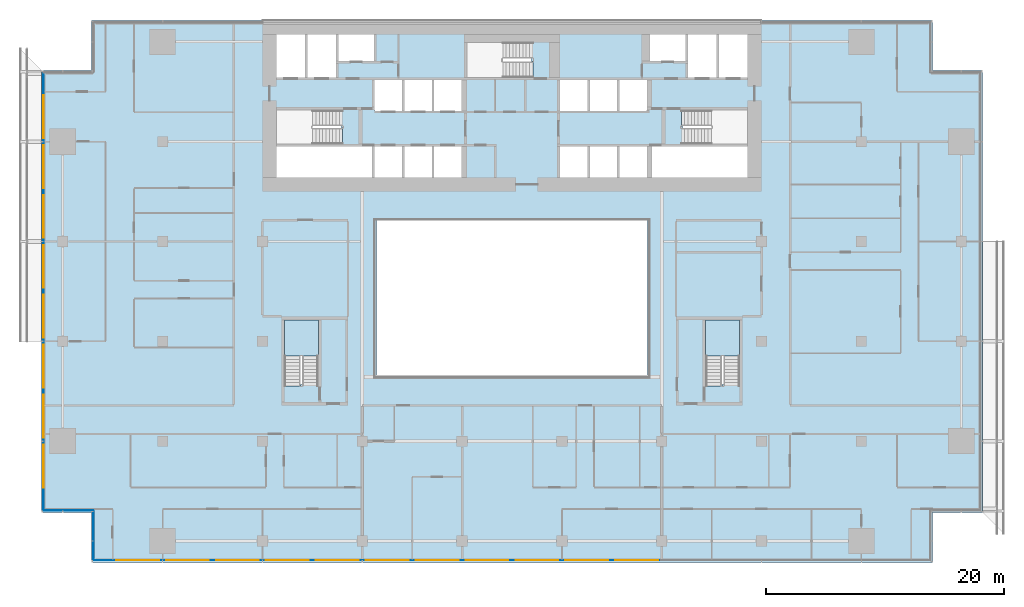
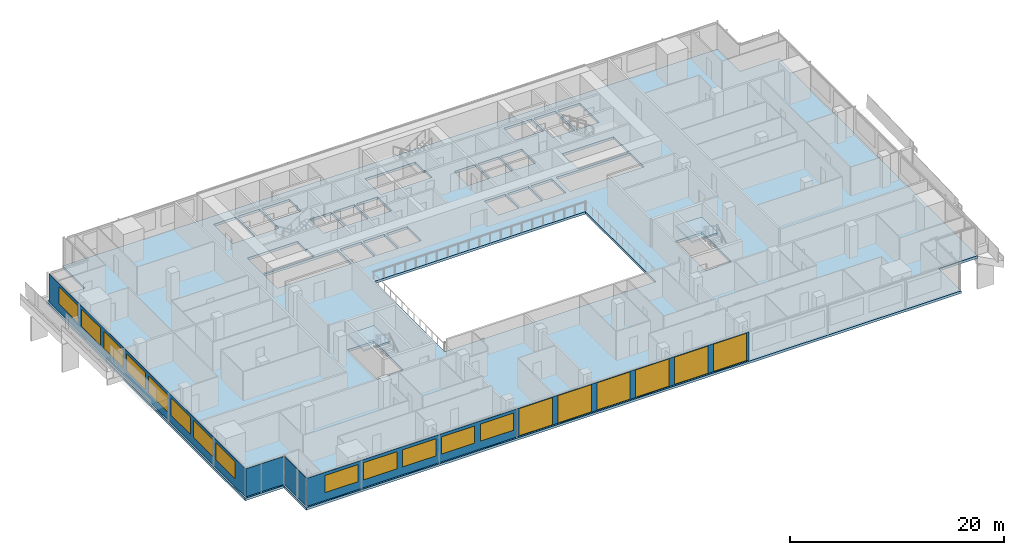
# One storey, part 14 of 25: 19 windows, 5 plates, 3 slabs, 19 openings, 6 elements without a shape of their own.
"""IFC4 building model written with IfcOpenShell, lengths in metres."""

from ifc_helpers import new_model, si_unit, direction, frame, frame_2d, origin, place, context, subcontext, project, spatial, polyline, rectangle, outline, extrude, material, layer, layer_set, type_object, element, fill, aggregate, save


model = new_model("IFC4")

# Units and contexts
model_context = context("Model", 3, precision=1e-05, world=origin(), true_north=direction((0.0, 1.0)))
body_context = subcontext(model_context, "Body", "Model", "MODEL_VIEW")
ifc_project = project(units=[si_unit("LENGTHUNIT", "METRE"), si_unit("AREAUNIT", "SQUARE_METRE"), si_unit("VOLUMEUNIT", "CUBIC_METRE"), si_unit("PLANEANGLEUNIT", "RADIAN"), si_unit("MASSUNIT", "GRAM", prefix="KILO")], contexts=[model_context])

# Site, building, storey
site_placement = place(None, origin())
site = spatial("IfcSite", under=ifc_project, at=site_placement, CompositionType="ELEMENT")
building_placement = place(site_placement, origin())
building = spatial("IfcBuilding", under=site, at=building_placement, Name="Saffron Gate Tower", CompositionType="ELEMENT")
storey_placement = place(building_placement, frame((0.0, 0.0, 73.199951171875)))
storey = spatial("IfcBuildingStorey", under=building, at=storey_placement, Name="L17", CompositionType="ELEMENT", Elevation=73.199951171875)

# Curtain wall, plates, openings, windows
ifc_material_1 = material(Name="Aluminium, bronze anodised", Category="aluminium")
curtain_wall_type_1 = type_object("IfcCurtainWallType", Name="CWS1 curtain wall front facade", PredefinedType="NOTDEFINED", material=ifc_material_1)
curtain_wall_1_placement = place(storey_placement, origin())
curtain_wall_1 = element("IfcCurtainWall", 1, at=curtain_wall_1_placement, inside=storey, type_object=curtain_wall_type_1, Name="CWS1 run 1", PredefinedType="NOTDEFINED")
ifc_material_2 = material(Name="Clear low-iron laminated glass", Category="glass")
ifc_layer_1 = layer(ifc_material_2, 0.028076171875)
ifc_layer_set_1 = layer_set([ifc_layer_1], Name="CWS1 clear glass")
plate_type_1 = type_object("IfcPlateType", Name="CWS1 clear glass", PredefinedType="CURTAIN_PANEL", material=ifc_layer_set_1)
plate_1_placement = place(storey_placement, frame((75.030029296875, 30.174072265625, 0.0), z_axis=(0.0, 0.0, 1.0), x_axis=(1.0, 0.0, 0.0)))
plate_1 = element("IfcPlate", 2, at=plate_1_placement, type_object=plate_type_1, Name="CWS1 clear glass panel", PredefinedType="CURTAIN_PANEL", context=body_context, shape_type="SweptSolid", body=[
    extrude(rectangle(XDim=25.139892578125, YDim=0.028076171875, at=frame_2d((12.56982421875, 0.0))), origin(), (0.0, 0.0, 1.0), 3.199951171875),
])
opening_1_placement = place(plate_1_placement, frame((0.27001953125, 0.0, 0.050048828125)))
opening_1 = element("IfcOpeningElement", 3, at=opening_1_placement, cuts=plate_1, Name="Opening WA", PredefinedType="OPENING", context=body_context, shape_type="SweptSolid", body=[
    extrude(rectangle(XDim=3.60009765625, YDim=3.10009765625, at=frame_2d((1.800048828125, 1.550048828125))), frame((0.0, 0.02392578125, 0.0), z_axis=(0.0, -1.0, 0.0), x_axis=(1.0, 0.0, 0.0)), (0.0, 0.0, 1.0), 0.048095703125),
])
opening_2_placement = place(plate_1_placement, frame((4.469970703125, 0.0, 0.050048828125)))
opening_2 = element("IfcOpeningElement", 4, at=opening_2_placement, cuts=plate_1, Name="Opening WA", PredefinedType="OPENING", context=body_context, shape_type="SweptSolid", body=[
    extrude(rectangle(XDim=3.60009765625, YDim=3.10009765625, at=frame_2d((1.800048828125, 1.550048828125))), frame((0.0, 0.02392578125, 0.0), z_axis=(0.0, -1.0, 0.0), x_axis=(1.0, 0.0, 0.0)), (0.0, 0.0, 1.0), 0.048095703125),
])
opening_3_placement = place(plate_1_placement, frame((8.669921875, 0.0, 0.050048828125)))
opening_3 = element("IfcOpeningElement", 5, at=opening_3_placement, cuts=plate_1, Name="Opening WA", PredefinedType="OPENING", context=body_context, shape_type="SweptSolid", body=[
    extrude(rectangle(XDim=3.60009765625, YDim=3.10009765625, at=frame_2d((1.800048828125, 1.550048828125))), frame((0.0, 0.02392578125, 0.0), z_axis=(0.0, -1.0, 0.0), x_axis=(1.0, 0.0, 0.0)), (0.0, 0.0, 1.0), 0.048095703125),
])
opening_4_placement = place(plate_1_placement, frame((12.8701171875, 0.0, 0.050048828125)))
opening_4 = element("IfcOpeningElement", 6, at=opening_4_placement, cuts=plate_1, Name="Opening WA", PredefinedType="OPENING", context=body_context, shape_type="SweptSolid", body=[
    extrude(rectangle(XDim=3.60009765625, YDim=3.10009765625, at=frame_2d((1.800048828125, 1.550048828125))), frame((0.0, 0.02392578125, 0.0), z_axis=(0.0, -1.0, 0.0), x_axis=(1.0, 0.0, 0.0)), (0.0, 0.0, 1.0), 0.048095703125),
])
opening_5_placement = place(plate_1_placement, frame((17.070068359375, 0.0, 0.050048828125)))
opening_5 = element("IfcOpeningElement", 7, at=opening_5_placement, cuts=plate_1, Name="Opening WA", PredefinedType="OPENING", context=body_context, shape_type="SweptSolid", body=[
    extrude(rectangle(XDim=3.60009765625, YDim=3.10009765625, at=frame_2d((1.800048828125, 1.550048828125))), frame((0.0, 0.02392578125, 0.0), z_axis=(0.0, -1.0, 0.0), x_axis=(1.0, 0.0, 0.0)), (0.0, 0.0, 1.0), 0.048095703125),
])
opening_6_placement = place(plate_1_placement, frame((21.27001953125, 0.0, 0.050048828125)))
opening_6 = element("IfcOpeningElement", 8, at=opening_6_placement, cuts=plate_1, Name="Opening WA", PredefinedType="OPENING", context=body_context, shape_type="SweptSolid", body=[
    extrude(rectangle(XDim=3.60009765625, YDim=3.10009765625, at=frame_2d((1.800048828125, 1.550048828125))), frame((0.0, 0.02392578125, 0.0), z_axis=(0.0, -1.0, 0.0), x_axis=(1.0, 0.0, 0.0)), (0.0, 0.0, 1.0), 0.048095703125),
])
ifc_material_3 = material(Name="Clear low-iron laminated glass in bronze frame", Category="glass")
ifc_layer_2 = layer(ifc_material_3, 0.06005859375)
ifc_layer_set_2 = layer_set([ifc_layer_2], Name="WA operable atrium unit 3600x3100")
window_type_1 = type_object("IfcWindowType", Name="WA operable atrium unit 3600x3100", PartitioningType="DOUBLE_PANEL_HORIZONTAL", PredefinedType="WINDOW", material=ifc_layer_set_2)
window_1_placement = place(opening_1_placement, origin())
window_1 = element("IfcWindow", 9, at=window_1_placement, type_object=window_type_1, Name="WA operable atrium unit", OverallHeight=3.10009765625, OverallWidth=3.60009765625, PartitioningType="SINGLE_PANEL", PredefinedType="WINDOW", context=body_context, shape_type="SweptSolid", body=[
    extrude(rectangle(XDim=3.60009765625, YDim=3.10009765625, at=frame_2d((1.800048828125, 1.550048828125))), frame((0.0, 0.013671875, 0.0), z_axis=(0.0, -1.0, 0.0), x_axis=(1.0, 0.0, 0.0)), (0.0, 0.0, 1.0), 0.027587890625),
])
fill(opening_1, window_1)
window_2_placement = place(opening_2_placement, origin())
window_2 = element("IfcWindow", 10, at=window_2_placement, type_object=window_type_1, Name="WA operable atrium unit", OverallHeight=3.10009765625, OverallWidth=3.60009765625, PartitioningType="SINGLE_PANEL", PredefinedType="WINDOW", context=body_context, shape_type="SweptSolid", body=[
    extrude(rectangle(XDim=3.60009765625, YDim=3.10009765625, at=frame_2d((1.800048828125, 1.550048828125))), frame((0.0, 0.013671875, 0.0), z_axis=(0.0, -1.0, 0.0), x_axis=(1.0, 0.0, 0.0)), (0.0, 0.0, 1.0), 0.027587890625),
])
fill(opening_2, window_2)
window_3_placement = place(opening_3_placement, origin())
window_3 = element("IfcWindow", 11, at=window_3_placement, type_object=window_type_1, Name="WA operable atrium unit", OverallHeight=3.10009765625, OverallWidth=3.60009765625, PartitioningType="SINGLE_PANEL", PredefinedType="WINDOW", context=body_context, shape_type="SweptSolid", body=[
    extrude(rectangle(XDim=3.60009765625, YDim=3.10009765625, at=frame_2d((1.800048828125, 1.550048828125))), frame((0.0, 0.013671875, 0.0), z_axis=(0.0, -1.0, 0.0), x_axis=(1.0, 0.0, 0.0)), (0.0, 0.0, 1.0), 0.027587890625),
])
fill(opening_3, window_3)
window_4_placement = place(opening_4_placement, origin())
window_4 = element("IfcWindow", 12, at=window_4_placement, type_object=window_type_1, Name="WA operable atrium unit", OverallHeight=3.10009765625, OverallWidth=3.60009765625, PartitioningType="SINGLE_PANEL", PredefinedType="WINDOW", context=body_context, shape_type="SweptSolid", body=[
    extrude(rectangle(XDim=3.60009765625, YDim=3.10009765625, at=frame_2d((1.800048828125, 1.550048828125))), frame((0.0, 0.013671875, 0.0), z_axis=(0.0, -1.0, 0.0), x_axis=(1.0, 0.0, 0.0)), (0.0, 0.0, 1.0), 0.027587890625),
])
fill(opening_4, window_4)
window_5_placement = place(opening_5_placement, origin())
window_5 = element("IfcWindow", 13, at=window_5_placement, type_object=window_type_1, Name="WA operable atrium unit", OverallHeight=3.10009765625, OverallWidth=3.60009765625, PartitioningType="SINGLE_PANEL", PredefinedType="WINDOW", context=body_context, shape_type="SweptSolid", body=[
    extrude(rectangle(XDim=3.60009765625, YDim=3.10009765625, at=frame_2d((1.800048828125, 1.550048828125))), frame((0.0, 0.013671875, 0.0), z_axis=(0.0, -1.0, 0.0), x_axis=(1.0, 0.0, 0.0)), (0.0, 0.0, 1.0), 0.027587890625),
])
fill(opening_5, window_5)
window_6_placement = place(opening_6_placement, origin())
window_6 = element("IfcWindow", 14, at=window_6_placement, type_object=window_type_1, Name="WA operable atrium unit", OverallHeight=3.10009765625, OverallWidth=3.60009765625, PartitioningType="SINGLE_PANEL", PredefinedType="WINDOW", context=body_context, shape_type="SweptSolid", body=[
    extrude(rectangle(XDim=3.60009765625, YDim=3.10009765625, at=frame_2d((1.800048828125, 1.550048828125))), frame((0.0, 0.013671875, 0.0), z_axis=(0.0, -1.0, 0.0), x_axis=(1.0, 0.0, 0.0)), (0.0, 0.0, 1.0), 0.027587890625),
])
fill(opening_6, window_6)
ifc_material_4 = material(Name="Fritted bronze-tinted laminated glass", Category="glass")
ifc_layer_3 = layer(ifc_material_4, 0.028076171875)
ifc_layer_set_3 = layer_set([ifc_layer_3], Name="CWS1 fixed glass")
plate_type_2 = type_object("IfcPlateType", Name="CWS1 fixed glass", PredefinedType="CURTAIN_PANEL", material=ifc_layer_set_3)
plate_2_placement = place(storey_placement, frame((52.387939453125, 30.174072265625, 0.0), z_axis=(0.0, 0.0, 1.0), x_axis=(1.0, 0.0, 0.0)))
plate_2 = element("IfcPlate", 15, at=plate_2_placement, type_object=plate_type_2, Name="CWS1 glass panel", PredefinedType="CURTAIN_PANEL", context=body_context, shape_type="SweptSolid", body=[
    extrude(rectangle(XDim=22.64208984375, YDim=0.028076171875, at=frame_2d((11.321044921875, 0.0))), origin(), (0.0, 0.0, 1.0), 3.199951171875),
])
opening_7_placement = place(plate_2_placement, frame((1.912109375, 0.0, 0.89990234375)))
opening_7 = element("IfcOpeningElement", 16, at=opening_7_placement, cuts=plate_2, Name="Opening W1", PredefinedType="OPENING", context=body_context, shape_type="SweptSolid", body=[
    extrude(rectangle(XDim=3.60009765625, YDim=1.949951171875, at=frame_2d((1.800048828125, 0.97509765625))), frame((0.0, 0.02392578125, 0.0), z_axis=(0.0, -1.0, 0.0), x_axis=(1.0, 0.0, 0.0)), (0.0, 0.0, 1.0), 0.048095703125),
])
opening_8_placement = place(plate_2_placement, frame((6.112060546875, 0.0, 0.89990234375)))
opening_8 = element("IfcOpeningElement", 17, at=opening_8_placement, cuts=plate_2, Name="Opening W1", PredefinedType="OPENING", context=body_context, shape_type="SweptSolid", body=[
    extrude(rectangle(XDim=3.60009765625, YDim=1.949951171875, at=frame_2d((1.800048828125, 0.97509765625))), frame((0.0, 0.02392578125, 0.0), z_axis=(0.0, -1.0, 0.0), x_axis=(1.0, 0.0, 0.0)), (0.0, 0.0, 1.0), 0.048095703125),
])
opening_9_placement = place(plate_2_placement, frame((10.31201171875, 0.0, 0.89990234375)))
opening_9 = element("IfcOpeningElement", 18, at=opening_9_placement, cuts=plate_2, Name="Opening W1", PredefinedType="OPENING", context=body_context, shape_type="SweptSolid", body=[
    extrude(rectangle(XDim=3.60009765625, YDim=1.949951171875, at=frame_2d((1.800048828125, 0.97509765625))), frame((0.0, 0.02392578125, 0.0), z_axis=(0.0, -1.0, 0.0), x_axis=(1.0, 0.0, 0.0)), (0.0, 0.0, 1.0), 0.048095703125),
])
opening_10_placement = place(plate_2_placement, frame((14.511962890625, 0.0, 0.89990234375)))
opening_10 = element("IfcOpeningElement", 19, at=opening_10_placement, cuts=plate_2, Name="Opening W1", PredefinedType="OPENING", context=body_context, shape_type="SweptSolid", body=[
    extrude(rectangle(XDim=3.60009765625, YDim=1.949951171875, at=frame_2d((1.800048828125, 0.97509765625))), frame((0.0, 0.02392578125, 0.0), z_axis=(0.0, -1.0, 0.0), x_axis=(1.0, 0.0, 0.0)), (0.0, 0.0, 1.0), 0.048095703125),
])
opening_11_placement = place(plate_2_placement, frame((18.7119140625, 0.0, 0.89990234375)))
opening_11 = element("IfcOpeningElement", 20, at=opening_11_placement, cuts=plate_2, Name="Opening W1", PredefinedType="OPENING", context=body_context, shape_type="SweptSolid", body=[
    extrude(rectangle(XDim=3.60009765625, YDim=1.949951171875, at=frame_2d((1.800048828125, 0.97509765625))), frame((0.0, 0.02392578125, 0.0), z_axis=(0.0, -1.0, 0.0), x_axis=(1.0, 0.0, 0.0)), (0.0, 0.0, 1.0), 0.048095703125),
])
ifc_material_5 = material(Name="Fritted bronze-tinted laminated glass in bronze frame", Category="glass")
ifc_layer_4 = layer(ifc_material_5, 0.06005859375)
ifc_layer_set_4 = layer_set([ifc_layer_4], Name="W1 operable panel 3600x1950")
window_type_2 = type_object("IfcWindowType", Name="W1 operable panel 3600x1950", PartitioningType="DOUBLE_PANEL_HORIZONTAL", PredefinedType="WINDOW", material=ifc_layer_set_4)
window_7_placement = place(opening_7_placement, origin())
window_7 = element("IfcWindow", 21, at=window_7_placement, type_object=window_type_2, Name="W1 operable panel", OverallHeight=1.949951171875, OverallWidth=3.60009765625, PartitioningType="SINGLE_PANEL", PredefinedType="WINDOW", context=body_context, shape_type="SweptSolid", body=[
    extrude(rectangle(XDim=3.60009765625, YDim=1.949951171875, at=frame_2d((1.800048828125, 0.97509765625))), frame((0.0, 0.013671875, 0.0), z_axis=(0.0, -1.0, 0.0), x_axis=(1.0, 0.0, 0.0)), (0.0, 0.0, 1.0), 0.027587890625),
])
fill(opening_7, window_7)
window_8_placement = place(opening_8_placement, origin())
window_8 = element("IfcWindow", 22, at=window_8_placement, type_object=window_type_2, Name="W1 operable panel", OverallHeight=1.949951171875, OverallWidth=3.60009765625, PartitioningType="SINGLE_PANEL", PredefinedType="WINDOW", context=body_context, shape_type="SweptSolid", body=[
    extrude(rectangle(XDim=3.60009765625, YDim=1.949951171875, at=frame_2d((1.800048828125, 0.97509765625))), frame((0.0, 0.013671875, 0.0), z_axis=(0.0, -1.0, 0.0), x_axis=(1.0, 0.0, 0.0)), (0.0, 0.0, 1.0), 0.027587890625),
])
fill(opening_8, window_8)
window_9_placement = place(opening_9_placement, origin())
window_9 = element("IfcWindow", 23, at=window_9_placement, type_object=window_type_2, Name="W1 operable panel", OverallHeight=1.949951171875, OverallWidth=3.60009765625, PartitioningType="SINGLE_PANEL", PredefinedType="WINDOW", context=body_context, shape_type="SweptSolid", body=[
    extrude(rectangle(XDim=3.60009765625, YDim=1.949951171875, at=frame_2d((1.800048828125, 0.97509765625))), frame((0.0, 0.013671875, 0.0), z_axis=(0.0, -1.0, 0.0), x_axis=(1.0, 0.0, 0.0)), (0.0, 0.0, 1.0), 0.027587890625),
])
fill(opening_9, window_9)
window_10_placement = place(opening_10_placement, origin())
window_10 = element("IfcWindow", 24, at=window_10_placement, type_object=window_type_2, Name="W1 operable panel", OverallHeight=1.949951171875, OverallWidth=3.60009765625, PartitioningType="SINGLE_PANEL", PredefinedType="WINDOW", context=body_context, shape_type="SweptSolid", body=[
    extrude(rectangle(XDim=3.60009765625, YDim=1.949951171875, at=frame_2d((1.800048828125, 0.97509765625))), frame((0.0, 0.013671875, 0.0), z_axis=(0.0, -1.0, 0.0), x_axis=(1.0, 0.0, 0.0)), (0.0, 0.0, 1.0), 0.027587890625),
])
fill(opening_10, window_10)
window_11_placement = place(opening_11_placement, origin())
window_11 = element("IfcWindow", 25, at=window_11_placement, type_object=window_type_2, Name="W1 operable panel", OverallHeight=1.949951171875, OverallWidth=3.60009765625, PartitioningType="SINGLE_PANEL", PredefinedType="WINDOW", context=body_context, shape_type="SweptSolid", body=[
    extrude(rectangle(XDim=3.60009765625, YDim=1.949951171875, at=frame_2d((1.800048828125, 0.97509765625))), frame((0.0, 0.013671875, 0.0), z_axis=(0.0, -1.0, 0.0), x_axis=(1.0, 0.0, 0.0)), (0.0, 0.0, 1.0), 0.027587890625),
])
fill(opening_11, window_11)
aggregate(curtain_wall_1, [plate_2, plate_1, window_7, window_8, window_9, window_10, window_11, window_1, window_2, window_3, window_4, window_5, window_6])

# Curtain wall, plate, openings, windows
curtain_wall_type_2 = type_object("IfcCurtainWallType", Name="CWS2 curtain wall side facades", PredefinedType="NOTDEFINED", material=ifc_material_1)
curtain_wall_2_placement = place(storey_placement, origin())
curtain_wall_2 = element("IfcCurtainWall", 26, at=curtain_wall_2_placement, inside=storey, type_object=curtain_wall_type_2, Name="CWS2 run 10", PredefinedType="NOTDEFINED")
ifc_layer_5 = layer(ifc_material_4, 0.028076171875)
ifc_layer_set_5 = layer_set([ifc_layer_5], Name="CWS2 fixed glass")
plate_type_3 = type_object("IfcPlateType", Name="CWS2 fixed glass", PredefinedType="CURTAIN_PANEL", material=ifc_layer_set_5)
plate_3_placement = place(storey_placement, frame((48.174072265625, 71.2119140625, 0.0), z_axis=(0.0, 0.0, 1.0), x_axis=(0.0, -1.0, 0.0)))
plate_3 = element("IfcPlate", 27, at=plate_3_placement, type_object=plate_type_3, Name="CWS2 glass panel", PredefinedType="CURTAIN_PANEL", context=body_context, shape_type="SweptSolid", body=[
    extrude(rectangle(XDim=36.823974609375, YDim=0.028076171875, at=frame_2d((18.412109375, 0.0))), origin(), (0.0, 0.0, 1.0), 3.199951171875),
])
opening_12_placement = place(plate_3_placement, frame((1.912109375, 0.0, 0.89990234375)))
opening_12 = element("IfcOpeningElement", 28, at=opening_12_placement, cuts=plate_3, Name="Opening W1", PredefinedType="OPENING", context=body_context, shape_type="SweptSolid", body=[
    extrude(rectangle(XDim=3.60009765625, YDim=1.949951171875, at=frame_2d((1.800048828125, 0.97509765625))), frame((0.0, 0.02392578125, 0.0), z_axis=(0.0, -1.0, 0.0), x_axis=(1.0, 0.0, 0.0)), (0.0, 0.0, 1.0), 0.048095703125),
])
opening_13_placement = place(plate_3_placement, frame((6.112060546875, 0.0, 0.89990234375)))
opening_13 = element("IfcOpeningElement", 29, at=opening_13_placement, cuts=plate_3, Name="Opening W1", PredefinedType="OPENING", context=body_context, shape_type="SweptSolid", body=[
    extrude(rectangle(XDim=3.60009765625, YDim=1.949951171875, at=frame_2d((1.800048828125, 0.97509765625))), frame((0.0, 0.02392578125, 0.0), z_axis=(0.0, -1.0, 0.0), x_axis=(1.0, 0.0, 0.0)), (0.0, 0.0, 1.0), 0.048095703125),
])
opening_14_placement = place(plate_3_placement, frame((10.31201171875, 0.0, 0.89990234375)))
opening_14 = element("IfcOpeningElement", 30, at=opening_14_placement, cuts=plate_3, Name="Opening W1", PredefinedType="OPENING", context=body_context, shape_type="SweptSolid", body=[
    extrude(rectangle(XDim=3.60009765625, YDim=1.949951171875, at=frame_2d((1.800048828125, 0.97509765625))), frame((0.0, 0.02392578125, 0.0), z_axis=(0.0, -1.0, 0.0), x_axis=(1.0, 0.0, 0.0)), (0.0, 0.0, 1.0), 0.048095703125),
])
opening_15_placement = place(plate_3_placement, frame((14.511962890625, 0.0, 0.89990234375)))
opening_15 = element("IfcOpeningElement", 31, at=opening_15_placement, cuts=plate_3, Name="Opening W1", PredefinedType="OPENING", context=body_context, shape_type="SweptSolid", body=[
    extrude(rectangle(XDim=3.60009765625, YDim=1.949951171875, at=frame_2d((1.800048828125, 0.97509765625))), frame((0.0, 0.02392578125, 0.0), z_axis=(0.0, -1.0, 0.0), x_axis=(1.0, 0.0, 0.0)), (0.0, 0.0, 1.0), 0.048095703125),
])
opening_16_placement = place(plate_3_placement, frame((18.7119140625, 0.0, 0.89990234375)))
opening_16 = element("IfcOpeningElement", 32, at=opening_16_placement, cuts=plate_3, Name="Opening W1", PredefinedType="OPENING", context=body_context, shape_type="SweptSolid", body=[
    extrude(rectangle(XDim=3.60009765625, YDim=1.949951171875, at=frame_2d((1.800048828125, 0.97509765625))), frame((0.0, 0.02392578125, 0.0), z_axis=(0.0, -1.0, 0.0), x_axis=(1.0, 0.0, 0.0)), (0.0, 0.0, 1.0), 0.048095703125),
])
opening_17_placement = place(plate_3_placement, frame((22.912109375, 0.0, 0.89990234375)))
opening_17 = element("IfcOpeningElement", 33, at=opening_17_placement, cuts=plate_3, Name="Opening W1", PredefinedType="OPENING", context=body_context, shape_type="SweptSolid", body=[
    extrude(rectangle(XDim=3.60009765625, YDim=1.949951171875, at=frame_2d((1.800048828125, 0.97509765625))), frame((0.0, 0.02392578125, 0.0), z_axis=(0.0, -1.0, 0.0), x_axis=(1.0, 0.0, 0.0)), (0.0, 0.0, 1.0), 0.048095703125),
])
opening_18_placement = place(plate_3_placement, frame((27.112060546875, 0.0, 0.89990234375)))
opening_18 = element("IfcOpeningElement", 34, at=opening_18_placement, cuts=plate_3, Name="Opening W1", PredefinedType="OPENING", context=body_context, shape_type="SweptSolid", body=[
    extrude(rectangle(XDim=3.60009765625, YDim=1.949951171875, at=frame_2d((1.800048828125, 0.97509765625))), frame((0.0, 0.02392578125, 0.0), z_axis=(0.0, -1.0, 0.0), x_axis=(1.0, 0.0, 0.0)), (0.0, 0.0, 1.0), 0.048095703125),
])
opening_19_placement = place(plate_3_placement, frame((31.31201171875, 0.0, 0.89990234375)))
opening_19 = element("IfcOpeningElement", 35, at=opening_19_placement, cuts=plate_3, Name="Opening W1", PredefinedType="OPENING", context=body_context, shape_type="SweptSolid", body=[
    extrude(rectangle(XDim=3.60009765625, YDim=1.949951171875, at=frame_2d((1.800048828125, 0.97509765625))), frame((0.0, 0.02392578125, 0.0), z_axis=(0.0, -1.0, 0.0), x_axis=(1.0, 0.0, 0.0)), (0.0, 0.0, 1.0), 0.048095703125),
])
window_12_placement = place(opening_12_placement, origin())
window_12 = element("IfcWindow", 36, at=window_12_placement, type_object=window_type_2, Name="W1 operable panel", OverallHeight=1.949951171875, OverallWidth=3.60009765625, PartitioningType="SINGLE_PANEL", PredefinedType="WINDOW", context=body_context, shape_type="SweptSolid", body=[
    extrude(rectangle(XDim=3.60009765625, YDim=1.949951171875, at=frame_2d((1.800048828125, 0.97509765625))), frame((0.0, 0.013671875, 0.0), z_axis=(0.0, -1.0, 0.0), x_axis=(1.0, 0.0, 0.0)), (0.0, 0.0, 1.0), 0.027587890625),
])
fill(opening_12, window_12)
window_13_placement = place(opening_13_placement, origin())
window_13 = element("IfcWindow", 37, at=window_13_placement, type_object=window_type_2, Name="W1 operable panel", OverallHeight=1.949951171875, OverallWidth=3.60009765625, PartitioningType="SINGLE_PANEL", PredefinedType="WINDOW", context=body_context, shape_type="SweptSolid", body=[
    extrude(rectangle(XDim=3.60009765625, YDim=1.949951171875, at=frame_2d((1.800048828125, 0.97509765625))), frame((0.0, 0.013671875, 0.0), z_axis=(0.0, -1.0, 0.0), x_axis=(1.0, 0.0, 0.0)), (0.0, 0.0, 1.0), 0.027587890625),
])
fill(opening_13, window_13)
window_14_placement = place(opening_14_placement, origin())
window_14 = element("IfcWindow", 38, at=window_14_placement, type_object=window_type_2, Name="W1 operable panel", OverallHeight=1.949951171875, OverallWidth=3.60009765625, PartitioningType="SINGLE_PANEL", PredefinedType="WINDOW", context=body_context, shape_type="SweptSolid", body=[
    extrude(rectangle(XDim=3.60009765625, YDim=1.949951171875, at=frame_2d((1.800048828125, 0.97509765625))), frame((0.0, 0.013671875, 0.0), z_axis=(0.0, -1.0, 0.0), x_axis=(1.0, 0.0, 0.0)), (0.0, 0.0, 1.0), 0.027587890625),
])
fill(opening_14, window_14)
window_15_placement = place(opening_15_placement, origin())
window_15 = element("IfcWindow", 39, at=window_15_placement, type_object=window_type_2, Name="W1 operable panel", OverallHeight=1.949951171875, OverallWidth=3.60009765625, PartitioningType="SINGLE_PANEL", PredefinedType="WINDOW", context=body_context, shape_type="SweptSolid", body=[
    extrude(rectangle(XDim=3.60009765625, YDim=1.949951171875, at=frame_2d((1.800048828125, 0.97509765625))), frame((0.0, 0.013671875, 0.0), z_axis=(0.0, -1.0, 0.0), x_axis=(1.0, 0.0, 0.0)), (0.0, 0.0, 1.0), 0.027587890625),
])
fill(opening_15, window_15)
window_16_placement = place(opening_16_placement, origin())
window_16 = element("IfcWindow", 40, at=window_16_placement, type_object=window_type_2, Name="W1 operable panel", OverallHeight=1.949951171875, OverallWidth=3.60009765625, PartitioningType="SINGLE_PANEL", PredefinedType="WINDOW", context=body_context, shape_type="SweptSolid", body=[
    extrude(rectangle(XDim=3.60009765625, YDim=1.949951171875, at=frame_2d((1.800048828125, 0.97509765625))), frame((0.0, 0.013671875, 0.0), z_axis=(0.0, -1.0, 0.0), x_axis=(1.0, 0.0, 0.0)), (0.0, 0.0, 1.0), 0.027587890625),
])
fill(opening_16, window_16)
window_17_placement = place(opening_17_placement, origin())
window_17 = element("IfcWindow", 41, at=window_17_placement, type_object=window_type_2, Name="W1 operable panel", OverallHeight=1.949951171875, OverallWidth=3.60009765625, PartitioningType="SINGLE_PANEL", PredefinedType="WINDOW", context=body_context, shape_type="SweptSolid", body=[
    extrude(rectangle(XDim=3.60009765625, YDim=1.949951171875, at=frame_2d((1.800048828125, 0.97509765625))), frame((0.0, 0.013671875, 0.0), z_axis=(0.0, -1.0, 0.0), x_axis=(1.0, 0.0, 0.0)), (0.0, 0.0, 1.0), 0.027587890625),
])
fill(opening_17, window_17)
window_18_placement = place(opening_18_placement, origin())
window_18 = element("IfcWindow", 42, at=window_18_placement, type_object=window_type_2, Name="W1 operable panel", OverallHeight=1.949951171875, OverallWidth=3.60009765625, PartitioningType="SINGLE_PANEL", PredefinedType="WINDOW", context=body_context, shape_type="SweptSolid", body=[
    extrude(rectangle(XDim=3.60009765625, YDim=1.949951171875, at=frame_2d((1.800048828125, 0.97509765625))), frame((0.0, 0.013671875, 0.0), z_axis=(0.0, -1.0, 0.0), x_axis=(1.0, 0.0, 0.0)), (0.0, 0.0, 1.0), 0.027587890625),
])
fill(opening_18, window_18)
window_19_placement = place(opening_19_placement, origin())
window_19 = element("IfcWindow", 43, at=window_19_placement, type_object=window_type_2, Name="W1 operable panel", OverallHeight=1.949951171875, OverallWidth=3.60009765625, PartitioningType="SINGLE_PANEL", PredefinedType="WINDOW", context=body_context, shape_type="SweptSolid", body=[
    extrude(rectangle(XDim=3.60009765625, YDim=1.949951171875, at=frame_2d((1.800048828125, 0.97509765625))), frame((0.0, 0.013671875, 0.0), z_axis=(0.0, -1.0, 0.0), x_axis=(1.0, 0.0, 0.0)), (0.0, 0.0, 1.0), 0.027587890625),
])
fill(opening_19, window_19)
aggregate(curtain_wall_2, [plate_3, window_12, window_13, window_14, window_15, window_16, window_17, window_18, window_19])

# Curtain wall, plate
curtain_wall_type_3 = type_object("IfcCurtainWallType", Name="CWS4 curtain wall corner returns", PredefinedType="NOTDEFINED", material=ifc_material_1)
curtain_wall_3_placement = place(storey_placement, origin())
curtain_wall_3 = element("IfcCurtainWall", 44, at=curtain_wall_3_placement, inside=storey, type_object=curtain_wall_type_3, Name="CWS4 run 11", PredefinedType="NOTDEFINED")
ifc_layer_6 = layer(ifc_material_4, 0.028076171875)
ifc_layer_set_6 = layer_set([ifc_layer_6], Name="CWS4 fixed glass")
plate_type_4 = type_object("IfcPlateType", Name="CWS4 fixed glass", PredefinedType="CURTAIN_PANEL", material=ifc_layer_set_6)
plate_4_placement = place(storey_placement, frame((48.18798828125, 34.3740234375, 0.0), z_axis=(0.0, 0.0, 1.0), x_axis=(1.0, 0.0, 0.0)))
plate_4 = element("IfcPlate", 45, at=plate_4_placement, type_object=plate_type_4, Name="CWS4 glass panel", PredefinedType="CURTAIN_PANEL", context=body_context, shape_type="SweptSolid", body=[
    extrude(rectangle(XDim=4.172119140625, YDim=0.028076171875, at=frame_2d((2.0859375, 0.0))), origin(), (0.0, 0.0, 1.0), 3.199951171875),
])
aggregate(curtain_wall_3, [plate_4])

curtain_wall_4_placement = place(storey_placement, origin())
curtain_wall_4 = element("IfcCurtainWall", 46, at=curtain_wall_4_placement, inside=storey, type_object=curtain_wall_type_3, Name="CWS4 run 12", PredefinedType="NOTDEFINED")
plate_5_placement = place(storey_placement, frame((52.3740234375, 34.360107421875, 0.0), z_axis=(0.0, 0.0, 1.0), x_axis=(0.0, -1.0, 0.0)))
plate_5 = element("IfcPlate", 47, at=plate_5_placement, type_object=plate_type_4, Name="CWS4 glass panel", PredefinedType="CURTAIN_PANEL", context=body_context, shape_type="SweptSolid", body=[
    extrude(rectangle(XDim=4.172119140625, YDim=0.028076171875, at=frame_2d((2.0859375, 0.0))), origin(), (0.0, 0.0, 1.0), 3.199951171875),
])
aggregate(curtain_wall_4, [plate_5])

# Slab
ifc_material_6 = material(Name="Concrete C40", Category="concrete")
ifc_layer_7 = layer(ifc_material_6, 0.280029296875)
ifc_layer_set_7 = layer_set([ifc_layer_7], Name="S2 FLOOR SLAB 280 CONCRETE C40")
slab_type_1 = type_object("IfcSlabType", Name="S2 FLOOR SLAB 280 CONCRETE C40", PredefinedType="FLOOR", material=ifc_layer_set_7)
slab_1_placement = place(storey_placement, frame((0.0, 0.0, -0.280029296875)))
element("IfcSlab", 48, at=slab_1_placement, inside=storey, type_object=slab_type_1, Name="S2 FLOOR SLAB", PredefinedType="FLOOR", context=body_context, shape_type="SweptSolid", body=[
    extrude(outline(polyline([(48.0, 34.199951171875), (52.199951171875, 34.199951171875), (52.199951171875, 30.0), (123.0, 30.0), (123.0, 34.199951171875), (127.199951171875, 34.199951171875), (127.199951171875, 71.39990234375), (123.0, 71.39990234375), (123.0, 75.60009765625), (52.199951171875, 75.60009765625), (52.199951171875, 71.39990234375), (48.0, 71.39990234375), (48.0, 34.199951171875)]), holes=[polyline([(67.800048828125, 62.39990234375), (67.800048828125, 65.0), (75.800048828125, 65.0), (75.800048828125, 62.39990234375), (67.800048828125, 62.39990234375)]), polyline([(67.800048828125, 65.199951171875), (67.800048828125, 68.050048828125), (73.25, 68.050048828125), (73.25, 66.550048828125), (73.34912109375, 66.550048828125), (73.34912109375, 65.199951171875), (67.800048828125, 65.199951171875)]), polyline([(67.800048828125, 70.800048828125), (67.800048828125, 74.39990234375), (70.199951171875, 74.39990234375), (70.199951171875, 70.800048828125), (67.800048828125, 70.800048828125)]), polyline([(68.449951171875, 44.85107421875), (68.449951171875, 50.39990234375), (71.300048828125, 50.39990234375), (71.300048828125, 44.949951171875), (69.800048828125, 44.949951171875), (69.800048828125, 44.85107421875), (68.449951171875, 44.85107421875)]), polyline([(70.39990234375, 70.800048828125), (70.39990234375, 74.39990234375), (72.800048828125, 74.39990234375), (72.800048828125, 70.800048828125), (70.39990234375, 70.800048828125)]), polyline([(73.0, 72.199951171875), (73.0, 74.39990234375), (76.0, 74.39990234375), (76.0, 72.199951171875), (73.0, 72.199951171875)]), polyline([(76.050048828125, 62.39990234375), (76.050048828125, 65.0), (78.35009765625, 65.0), (78.35009765625, 62.39990234375), (76.050048828125, 62.39990234375)]), polyline([(76.050048828125, 68.0), (76.050048828125, 70.60009765625), (78.35009765625, 70.60009765625), (78.35009765625, 68.0), (76.050048828125, 68.0)]), polyline([(76.199951171875, 45.60009765625), (76.199951171875, 58.800048828125), (99.0, 58.800048828125), (99.0, 45.60009765625), (76.199951171875, 45.60009765625)]), polyline([(78.550048828125, 62.39990234375), (78.550048828125, 65.0), (80.85009765625, 65.0), (80.85009765625, 62.39990234375), (78.550048828125, 62.39990234375)]), polyline([(78.550048828125, 68.0), (78.550048828125, 70.60009765625), (80.85009765625, 70.60009765625), (80.85009765625, 68.0), (78.550048828125, 68.0)]), polyline([(81.050048828125, 62.39990234375), (81.050048828125, 65.0), (83.35009765625, 65.0), (83.35009765625, 62.39990234375), (81.050048828125, 62.39990234375)]), polyline([(81.050048828125, 68.0), (81.050048828125, 70.60009765625), (83.35009765625, 70.60009765625), (83.35009765625, 68.0), (81.050048828125, 68.0)]), polyline([(83.800048828125, 70.800048828125), (83.800048828125, 73.75), (89.25, 73.75), (89.25, 72.14990234375), (89.34912109375, 72.14990234375), (89.34912109375, 70.800048828125), (83.800048828125, 70.800048828125)]), polyline([(91.64990234375, 62.39990234375), (91.64990234375, 65.0), (93.949951171875, 65.0), (93.949951171875, 62.39990234375), (91.64990234375, 62.39990234375)]), polyline([(91.64990234375, 68.0), (91.64990234375, 70.60009765625), (93.949951171875, 70.60009765625), (93.949951171875, 68.0), (91.64990234375, 68.0)]), polyline([(94.14990234375, 62.39990234375), (94.14990234375, 65.0), (96.449951171875, 65.0), (96.449951171875, 62.39990234375), (94.14990234375, 62.39990234375)]), polyline([(94.14990234375, 68.0), (94.14990234375, 70.60009765625), (96.449951171875, 70.60009765625), (96.449951171875, 68.0), (94.14990234375, 68.0)]), polyline([(96.64990234375, 62.39990234375), (96.64990234375, 65.0), (98.949951171875, 65.0), (98.949951171875, 62.39990234375), (96.64990234375, 62.39990234375)]), polyline([(96.64990234375, 68.0), (96.64990234375, 70.60009765625), (98.949951171875, 70.60009765625), (98.949951171875, 68.0), (96.64990234375, 68.0)]), polyline([(99.199951171875, 72.199951171875), (99.199951171875, 74.39990234375), (102.199951171875, 74.39990234375), (102.199951171875, 72.199951171875), (99.199951171875, 72.199951171875)]), polyline([(99.39990234375, 62.39990234375), (99.39990234375, 65.0), (107.39990234375, 65.0), (107.39990234375, 62.39990234375), (99.39990234375, 62.39990234375)]), polyline([(101.85107421875, 66.699951171875), (101.85107421875, 68.050048828125), (107.39990234375, 68.050048828125), (107.39990234375, 65.199951171875), (101.949951171875, 65.199951171875), (101.949951171875, 66.699951171875), (101.85107421875, 66.699951171875)]), polyline([(102.39990234375, 70.800048828125), (102.39990234375, 74.39990234375), (104.800048828125, 74.39990234375), (104.800048828125, 70.800048828125), (102.39990234375, 70.800048828125)]), polyline([(103.89990234375, 44.85107421875), (103.89990234375, 50.39990234375), (106.75, 50.39990234375), (106.75, 44.949951171875), (105.25, 44.949951171875), (105.25, 44.85107421875), (103.89990234375, 44.85107421875)]), polyline([(105.0, 70.800048828125), (105.0, 74.39990234375), (107.39990234375, 74.39990234375), (107.39990234375, 70.800048828125), (105.0, 70.800048828125)])]), origin(), (0.0, 0.0, 1.0), 0.280029296875),
])

# Stair, slab
stair_type = type_object("IfcStairType", Name="ST7 Stair 1350 wide, 20 risers of 180", PredefinedType="HALF_TURN_STAIR", material=ifc_material_6)
stair_1_placement = place(storey_placement, origin())
stair_1 = element("IfcStair", 49, at=stair_1_placement, inside=storey, type_object=stair_type, Name="L17 Exit stair D", PredefinedType="HALF_TURN_STAIR")
ifc_layer_8 = layer(ifc_material_6, 0.199951171875)
ifc_layer_set_8 = layer_set([ifc_layer_8], Name="SL1 Stair landing 200")
slab_type_2 = type_object("IfcSlabType", Name="SL1 Stair landing 200", PredefinedType="LANDING", material=ifc_layer_set_8)
slab_2_placement = place(storey_placement, frame((0.0, 0.0, 1.60009765625)))
slab_2 = element("IfcSlab", 50, at=slab_2_placement, type_object=slab_type_2, Name="ST-D landing 1", PredefinedType="LANDING", context=body_context, shape_type="SweptSolid", body=[
    extrude(outline(polyline([(71.300048828125, 47.3701171875), (71.300048828125, 50.39990234375), (68.449951171875, 50.39990234375), (68.449951171875, 47.3701171875), (71.300048828125, 47.3701171875)])), origin(), (0.0, 0.0, 1.0), 0.199951171875),
])
aggregate(stair_1, [slab_2])

stair_2_placement = place(storey_placement, origin())
stair_2 = element("IfcStair", 51, at=stair_2_placement, inside=storey, type_object=stair_type, Name="L17 Exit stair E", PredefinedType="HALF_TURN_STAIR")
slab_3_placement = place(storey_placement, frame((0.0, 0.0, 1.60009765625)))
slab_3 = element("IfcSlab", 52, at=slab_3_placement, type_object=slab_type_2, Name="ST-E landing 1", PredefinedType="LANDING", context=body_context, shape_type="SweptSolid", body=[
    extrude(outline(polyline([(106.75, 47.3701171875), (106.75, 50.39990234375), (103.89990234375, 50.39990234375), (103.89990234375, 47.3701171875), (106.75, 47.3701171875)])), origin(), (0.0, 0.0, 1.0), 0.199951171875),
])
aggregate(stair_2, [slab_3])

save(model, "model.ifc")
